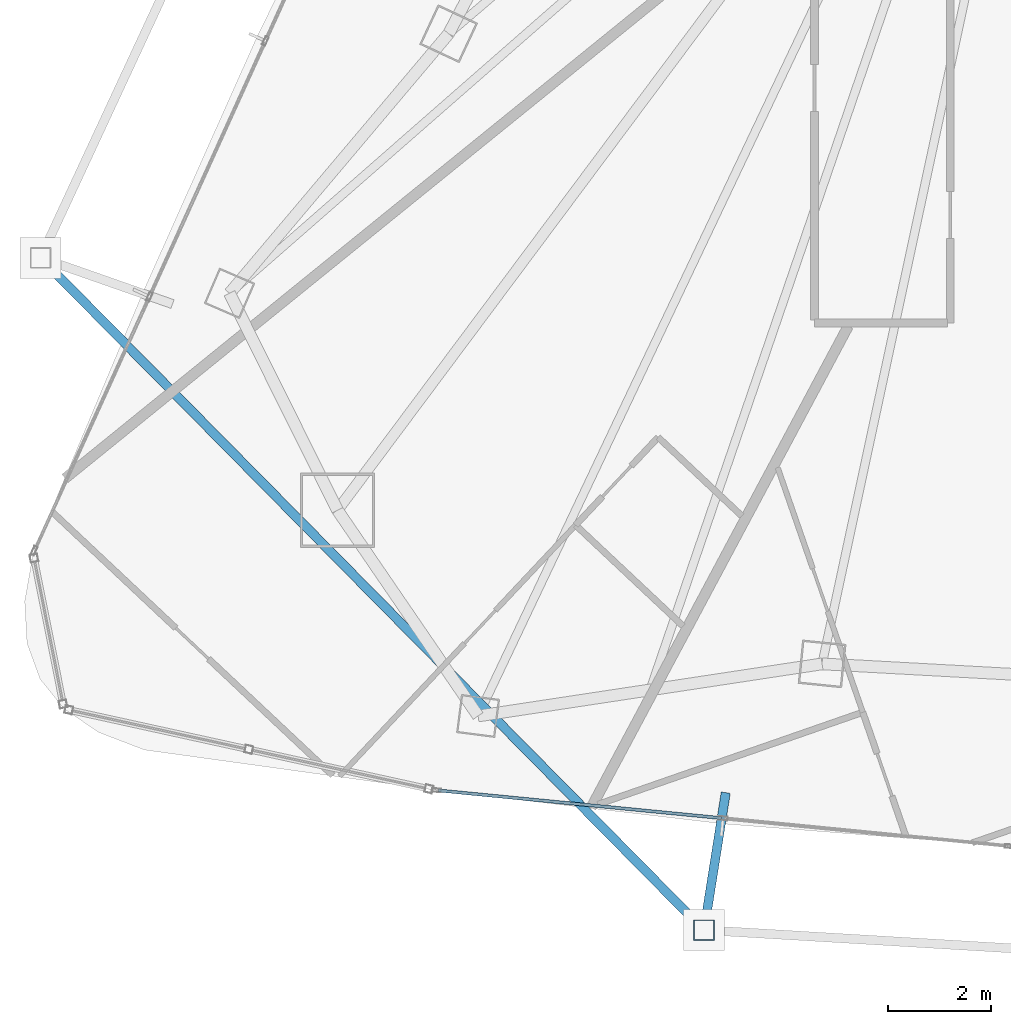
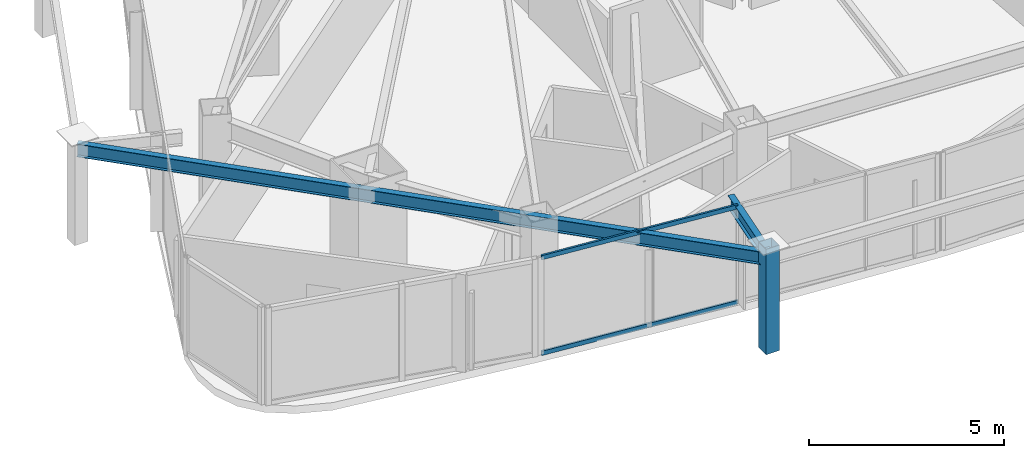
# One storey, part 3 of 29: 3 members, 2 beams, 1 element without a shape of its own.
"""IFC4 building model written with IfcOpenShell, lengths in metres."""

from ifc_helpers import new_model, si_unit, direction, frame, origin, origin_2d, place, context, subcontext, project, spatial, hollow_rectangle, i_section, extrude, material, layer, layer_set, material_profile, profile_set, type_object, element, aggregate, save


model = new_model("IFC4")

# Units and contexts
model_context = context("Model", 3, precision=1e-05, world=origin(), true_north=direction((0.0, 1.0)))
body_context = subcontext(model_context, "Body", "Model", "MODEL_VIEW")
ifc_project = project(units=[si_unit("LENGTHUNIT", "METRE"), si_unit("AREAUNIT", "SQUARE_METRE"), si_unit("VOLUMEUNIT", "CUBIC_METRE"), si_unit("PLANEANGLEUNIT", "RADIAN"), si_unit("MASSUNIT", "GRAM", prefix="KILO")], contexts=[model_context])

# Site, building, storey
site_placement = place(None, origin())
site = spatial("IfcSite", under=ifc_project, at=site_placement, CompositionType="ELEMENT")
building_placement = place(site_placement, origin())
building = spatial("IfcBuilding", under=site, at=building_placement, Name="Orvanel Arch Residences", CompositionType="ELEMENT")
storey_placement = place(building_placement, frame((0.0, 0.0, 167.14990234375)))
storey = spatial("IfcBuildingStorey", under=building, at=storey_placement, Name="L47", CompositionType="ELEMENT", Elevation=167.14990234375)

# Beams
ifc_material_1 = material(Name="Structural steel AS/NZS 3679.1 Grade 300 (300 MPa)", Category="steel")
ifc_material_profile_1 = material_profile(ifc_material_1, i_section(OverallWidth=0.177978515625, OverallDepth=0.406005859375, WebThickness=0.0078125, FlangeThickness=0.0126953125, at=origin_2d()), Name="410UB59.7")
ifc_profile_set_1 = profile_set([ifc_material_profile_1], Name="Structural steel AS/NZS 3679.1 Grade 300 (300 MPa)")
beam_type = type_object("IfcBeamType", Name="OB-410UB-EXT", PredefinedType="SPANDREL", material=ifc_profile_set_1)
beam_1_placement = place(storey_placement, frame((8.408935546875, 15.27197265625, 2.857177734375), z_axis=(0.702451850816, -0.711731267604, 0.0), x_axis=(0.711731267604, 0.702451850816, 0.0)))
element("IfcBeam", 1, at=beam_1_placement, inside=storey, type_object=beam_type, Name="L47 Outer Perimeter Floor Ring Beam 04", PredefinedType="SPANDREL", context=body_context, shape_type="SweptSolid", body=[
    extrude(i_section(OverallWidth=0.177978515625, OverallDepth=0.406005859375, WebThickness=0.0078125, FlangeThickness=0.0126953125, at=origin_2d()), origin(), (0.0, 0.0, 1.0), 18.4169921875),
])
beam_2_placement = place(storey_placement, frame((21.77001953125, 4.843994140625, 2.857177734375), z_axis=(-0.156295247411, -0.987710380444, 0.0), x_axis=(0.987710380444, -0.156295247411, 0.0)))
element("IfcBeam", 2, at=beam_2_placement, inside=storey, type_object=beam_type, Name="L47 Outer Frame Radial Tie Beam 05", PredefinedType="SPANDREL", context=body_context, shape_type="SweptSolid", body=[
    extrude(i_section(OverallWidth=0.177978515625, OverallDepth=0.406005859375, WebThickness=0.0078125, FlangeThickness=0.0126953125, at=origin_2d()), origin(), (0.0, 0.0, 1.0), 2.71337890625),
])

# Member
ifc_material_2 = material(Name="Structural steel AS/NZS 1163 C450L0 (Grade 450)", Category="steel")
ifc_material_profile_2 = material_profile(ifc_material_2, hollow_rectangle(XDim=0.39990234375, YDim=0.39990234375, WallThickness=0.01611328125, at=origin_2d()), Name="SHS400x400x16")
ifc_profile_set_2 = profile_set([ifc_material_profile_2], Name="Structural steel AS/NZS 1163 C450L0 (Grade 450)")
member_type_1 = type_object("IfcMemberType", Name="ST-400SHS-EXT", PredefinedType="STRUT", material=ifc_profile_set_2)
member_1_placement = place(storey_placement, frame((21.345947265625, 2.1640625, 0.0), z_axis=(0.0, 0.0, 1.0), x_axis=(1.0, 0.0, 0.0)))
element("IfcMember", 3, at=member_1_placement, inside=storey, type_object=member_type_1, Name="L47 Outer Perimeter Frame Post 05", PredefinedType="STRUT", context=body_context, shape_type="SweptSolid", body=[
    extrude(hollow_rectangle(XDim=0.39990234375, YDim=0.39990234375, WallThickness=0.01611328125, at=origin_2d()), origin(), (0.0, 0.0, 1.0), 3.300048828125),
])

# Curtain wall, members
ifc_material_3 = material(Name="Bronze-anodised aluminium AA6063-T6", Category="aluminium")
ifc_layer = layer(ifc_material_3, 0.179931640625)
ifc_layer_set = layer_set([ifc_layer], Name="Bronze-anodised aluminium AA6063-T6")
curtain_wall_type = type_object("IfcCurtainWallType", Name="CW3-MID-SYS", PredefinedType="NOTDEFINED", material=ifc_layer_set)
curtain_wall_placement = place(storey_placement, origin())
curtain_wall = element("IfcCurtainWall", 4, at=curtain_wall_placement, inside=storey, type_object=curtain_wall_type, Name="L47 CW3-MID-SYS Unitised Curtain Wall", PredefinedType="NOTDEFINED")
ifc_material_profile_3 = material_profile(ifc_material_3, hollow_rectangle(XDim=0.06005859375, YDim=0.135009765625, WallThickness=0.00390625, at=origin_2d()), Name="ALU135x60x4")
ifc_profile_set_3 = profile_set([ifc_material_profile_3], Name="Bronze-anodised aluminium AA6063-T6")
member_type_2 = type_object("IfcMemberType", Name="TRN-135x60", PredefinedType="USERDEFINED", material=ifc_profile_set_3)
member_2_placement = place(storey_placement, frame((16.165771484375, 4.88720703125, 0.030029296875), z_axis=(0.995255824689, -0.097292566125, 0.0), x_axis=(0.097292566125, 0.995255824689, 0.0)))
member_2 = element("IfcMember", 5, at=member_2_placement, type_object=member_type_2, Name="CW-S3 transom 1.1", ObjectType="TRANSOM", PredefinedType="USERDEFINED", context=body_context, shape_type="SweptSolid", body=[
    extrude(hollow_rectangle(XDim=0.06005859375, YDim=0.135009765625, WallThickness=0.00390625, at=origin_2d()), origin(), (0.0, 0.0, 1.0), 5.543212890625),
])
member_3_placement = place(storey_placement, frame((16.165771484375, 4.88720703125, 3.030029296875), z_axis=(0.995255824689, -0.097292566125, 0.0), x_axis=(0.097292566125, 0.995255824689, 0.0)))
member_3 = element("IfcMember", 6, at=member_3_placement, type_object=member_type_2, Name="CW-S3 transom 1.2", ObjectType="TRANSOM", PredefinedType="USERDEFINED", context=body_context, shape_type="SweptSolid", body=[
    extrude(hollow_rectangle(XDim=0.06005859375, YDim=0.135009765625, WallThickness=0.00390625, at=origin_2d()), origin(), (0.0, 0.0, 1.0), 5.543212890625),
])
aggregate(curtain_wall, [member_2, member_3])

save(model, "model.ifc")
